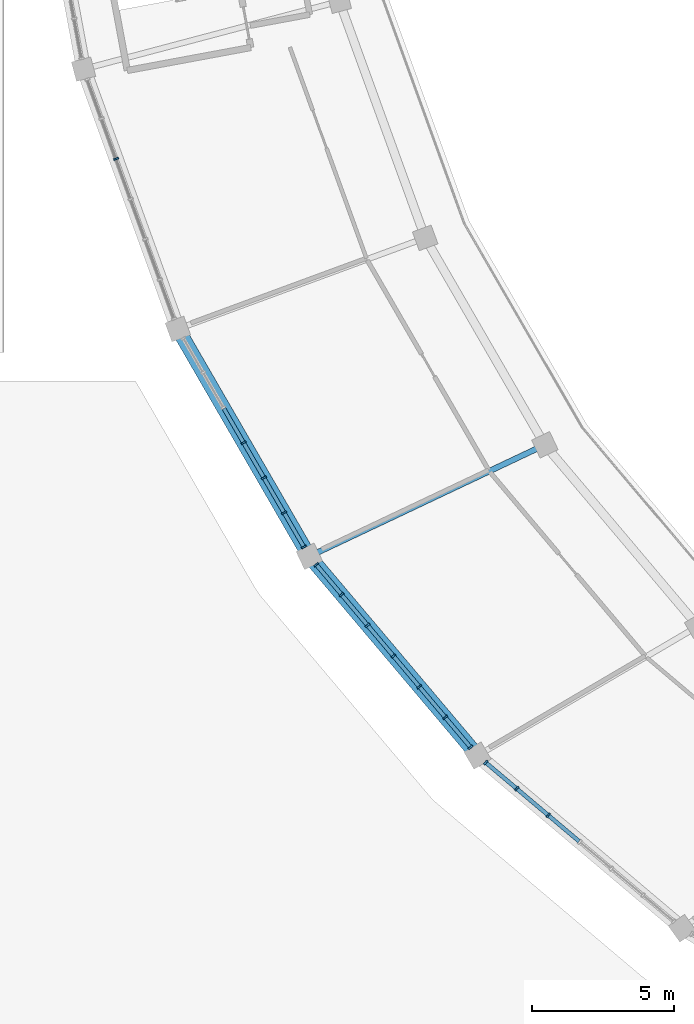
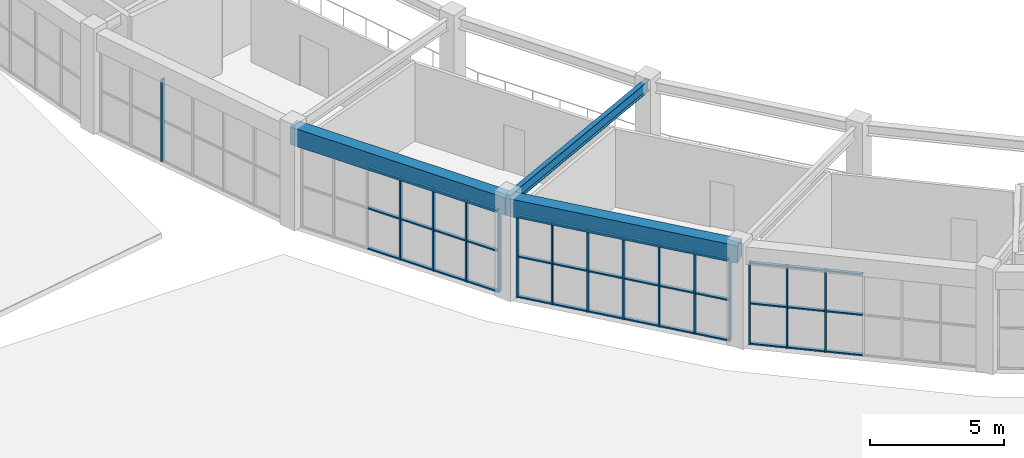
# One storey, part 16 of 45: 54 members, 3 beams, 4 elements without a shape of their own.
"""IFC4 building model written with IfcOpenShell, lengths in metres."""

from ifc_helpers import new_model, si_unit, direction, frame, origin, origin_2d, place, context, subcontext, project, spatial, rectangle, i_section, extrude, material, layer, layer_set, material_profile, profile_set, type_object, element, aggregate, save


model = new_model("IFC4")

# Units and contexts
model_context = context("Model", 3, precision=1e-05, world=origin(), true_north=direction((0.0, 1.0)))
body_context = subcontext(model_context, "Body", "Model", "MODEL_VIEW")
ifc_project = project(units=[si_unit("LENGTHUNIT", "METRE"), si_unit("AREAUNIT", "SQUARE_METRE"), si_unit("VOLUMEUNIT", "CUBIC_METRE"), si_unit("PLANEANGLEUNIT", "RADIAN"), si_unit("MASSUNIT", "GRAM", prefix="KILO")], contexts=[model_context])

# Site, building, storey
site_placement = place(None, origin())
site = spatial("IfcSite", under=ifc_project, at=site_placement, CompositionType="ELEMENT")
building_placement = place(site_placement, origin())
building = spatial("IfcBuilding", under=site, at=building_placement, Name="Mphavela Belvedere Stadium", CompositionType="ELEMENT")
storey_placement = place(building_placement, frame((0.0, 0.0, 24.0)))
storey = spatial("IfcBuildingStorey", under=building, at=storey_placement, Name="L05", CompositionType="ELEMENT", Elevation=24.0)

# Beams
ifc_material_1 = material(Name="Concrete C40/50", Category="concrete")
ifc_material_profile_1 = material_profile(ifc_material_1, rectangle(XDim=0.5, YDim=0.800048828125, at=origin_2d()), Name="RC 500x800")
ifc_profile_set_1 = profile_set([ifc_material_profile_1], Name="Concrete C40/50")
beam_type_1 = type_object("IfcBeamType", Name="BM-SPANDREL-800", PredefinedType="SPANDREL", material=ifc_profile_set_1)
beam_1_placement = place(storey_placement, frame((18.143798828125, 51.317626953125, 4.14990234375), z_axis=(0.500565297122, -0.865698783248, 0.0), x_axis=(0.865698783248, 0.500565297122, 0.0)))
element("IfcBeam", 1, at=beam_1_placement, inside=storey, type_object=beam_type_1, Name="Circumferential girder L05 R4-28", PredefinedType="SPANDREL", context=body_context, shape_type="SweptSolid", body=[
    extrude(rectangle(XDim=0.5, YDim=0.800048828125, at=origin_2d()), origin(), (0.0, 0.0, 1.0), 9.217041015625),
])
beam_2_placement = place(storey_placement, frame((22.757568359375, 43.33837890625, 4.14990234375), z_axis=(0.645164552218, -0.764043650952, 0.0), x_axis=(0.764043650952, 0.645164552218, 0.0)))
element("IfcBeam", 2, at=beam_2_placement, inside=storey, type_object=beam_type_1, Name="Circumferential girder L05 R4-29", PredefinedType="SPANDREL", context=body_context, shape_type="SweptSolid", body=[
    extrude(rectangle(XDim=0.5, YDim=0.800048828125, at=origin_2d()), origin(), (0.0, 0.0, 1.0), 9.151123046875),
])
ifc_material_2 = material(Name="Steel S355", Category="steel")
ifc_material_profile_2 = material_profile(ifc_material_2, i_section(OverallWidth=0.199951171875, OverallDepth=0.5, WebThickness=0.01025390625, FlangeThickness=0.01611328125, at=origin_2d()), Name="IPE 500")
ifc_profile_set_2 = profile_set([ifc_material_profile_2], Name="Steel S355")
beam_type_2 = type_object("IfcBeamType", Name="BM-STEEL-IPE500", PredefinedType="BEAM", material=ifc_profile_set_2)
beam_3_placement = place(storey_placement, frame((31.0244140625, 47.251708984375, 4.300048828125), z_axis=(-0.903845427073, -0.427859140325, 0.0), x_axis=(0.427859140325, -0.903845427073, 0.0)))
element("IfcBeam", 3, at=beam_3_placement, inside=storey, type_object=beam_type_2, Name="Radial concourse girder L05 R3R4-29", PredefinedType="BEAM", context=body_context, shape_type="SweptSolid", body=[
    extrude(i_section(OverallWidth=0.199951171875, OverallDepth=0.5, WebThickness=0.01025390625, FlangeThickness=0.01611328125, at=origin_2d()), origin(), (0.0, 0.0, 1.0), 9.146240234375),
])

# Curtain wall, member
ifc_material_3 = material(Name="Anodised bronze unitised curtain wall framing")
ifc_layer_1 = layer(ifc_material_3, 0.18994140625)
ifc_layer_set_1 = layer_set([ifc_layer_1], Name="Anodised bronze unitised curtain wall framing")
curtain_wall_type_1 = type_object("IfcCurtainWallType", Name="CW-UNIT-03", PredefinedType="USERDEFINED", material=ifc_layer_set_1)
curtain_wall_1_placement = place(storey_placement, origin())
curtain_wall_1 = element("IfcCurtainWall", 4, at=curtain_wall_1_placement, inside=storey, type_object=curtain_wall_type_1, Name="Belvedere colonnade curtain wall L05-27", ObjectType="UNITISED CURTAIN WALL", PredefinedType="USERDEFINED")
ifc_material_4 = material(Name="Anodised bronze extruded aluminium", Category="aluminium")
ifc_material_profile_3 = material_profile(ifc_material_4, rectangle(XDim=0.179931640625, YDim=0.06494140625, at=origin_2d()), Name="CW-MUL 180x65")
ifc_profile_set_3 = profile_set([ifc_material_profile_3], Name="Anodised bronze extruded aluminium")
member_type_1 = type_object("IfcMemberType", Name="CWM-180x65", PredefinedType="MULLION", material=ifc_profile_set_3)
member_1_placement = place(storey_placement, frame((15.977783203125, 57.28857421875, 0.0), z_axis=(0.0, 0.0, 1.0), x_axis=(0.940053496111, 0.341027014251, 0.0)))
member_1 = element("IfcMember", 5, at=member_1_placement, type_object=member_type_1, Name="CW-03 mullion 3", PredefinedType="MULLION", context=body_context, shape_type="SweptSolid", body=[
    extrude(rectangle(XDim=0.179931640625, YDim=0.06494140625, at=origin_2d()), origin(), (0.0, 0.0, 1.0), 3.719970703125),
])
aggregate(curtain_wall_1, [member_1])

# Curtain wall, members
ifc_material_5 = material(Name="Anodised bronze unitised curtain wall framing")
ifc_layer_2 = layer(ifc_material_5, 0.195068359375)
ifc_layer_set_2 = layer_set([ifc_layer_2], Name="Anodised bronze unitised curtain wall framing")
curtain_wall_type_2 = type_object("IfcCurtainWallType", Name="CW-UNIT-04", PredefinedType="USERDEFINED", material=ifc_layer_set_2)
curtain_wall_2_placement = place(storey_placement, origin())
curtain_wall_2 = element("IfcCurtainWall", 6, at=curtain_wall_2_placement, inside=storey, type_object=curtain_wall_type_2, Name="Belvedere colonnade curtain wall L05-28", ObjectType="UNITISED CURTAIN WALL", PredefinedType="USERDEFINED")
member_2_placement = place(storey_placement, frame((20.45068359375, 47.328125, 0.0), z_axis=(0.0, 0.0, 1.0), x_axis=(0.865704159606, 0.500555998906, 0.0)))
member_2 = element("IfcMember", 7, at=member_2_placement, type_object=member_type_1, Name="CW-04 mullion 4", PredefinedType="MULLION", context=body_context, shape_type="SweptSolid", body=[
    extrude(rectangle(XDim=0.179931640625, YDim=0.06494140625, at=origin_2d()), origin(), (0.0, 0.0, 1.0), 3.719970703125),
])
member_3_placement = place(storey_placement, frame((21.16162109375, 46.0986328125, 0.0), z_axis=(0.0, 0.0, 1.0), x_axis=(0.865704159606, 0.500555998906, 0.0)))
member_3 = element("IfcMember", 8, at=member_3_placement, type_object=member_type_1, Name="CW-04 mullion 5", PredefinedType="MULLION", context=body_context, shape_type="SweptSolid", body=[
    extrude(rectangle(XDim=0.179931640625, YDim=0.06494140625, at=origin_2d()), origin(), (0.0, 0.0, 1.0), 3.719970703125),
])
member_4_placement = place(storey_placement, frame((21.872314453125, 44.869140625, 0.0), z_axis=(0.0, 0.0, 1.0), x_axis=(0.865704159606, 0.500555998906, 0.0)))
member_4 = element("IfcMember", 9, at=member_4_placement, type_object=member_type_1, Name="CW-04 mullion 6", PredefinedType="MULLION", context=body_context, shape_type="SweptSolid", body=[
    extrude(rectangle(XDim=0.179931640625, YDim=0.06494140625, at=origin_2d()), origin(), (0.0, 0.0, 1.0), 3.719970703125),
])
member_5_placement = place(storey_placement, frame((22.567138671875, 43.66796875, 0.0), z_axis=(0.0, 0.0, 1.0), x_axis=(0.865704159606, 0.500555998906, 0.0)))
member_5 = element("IfcMember", 10, at=member_5_placement, type_object=member_type_1, Name="CW-04 mullion 7", PredefinedType="MULLION", context=body_context, shape_type="SweptSolid", body=[
    extrude(rectangle(XDim=0.179931640625, YDim=0.06494140625, at=origin_2d()), origin(), (0.0, 0.0, 1.0), 3.719970703125),
])

ifc_material_6 = material(Name="Anodised bronze unitised curtain wall framing")
ifc_layer_3 = layer(ifc_material_6, 0.199951171875)
ifc_layer_set_3 = layer_set([ifc_layer_3], Name="Anodised bronze unitised curtain wall framing")
curtain_wall_type_3 = type_object("IfcCurtainWallType", Name="CW-UNIT-05", PredefinedType="USERDEFINED", material=ifc_layer_set_3)
curtain_wall_3_placement = place(storey_placement, origin())
curtain_wall_3 = element("IfcCurtainWall", 11, at=curtain_wall_3_placement, inside=storey, type_object=curtain_wall_type_3, Name="Belvedere colonnade curtain wall L05-29", ObjectType="UNITISED CURTAIN WALL", PredefinedType="USERDEFINED")
member_6_placement = place(storey_placement, frame((23.0029296875, 43.0478515625, 0.0), z_axis=(0.0, 0.0, 1.0), x_axis=(0.764034579723, 0.645175294774, 0.0)))
member_6 = element("IfcMember", 12, at=member_6_placement, type_object=member_type_1, Name="CW-05 mullion 1", PredefinedType="MULLION", context=body_context, shape_type="SweptSolid", body=[
    extrude(rectangle(XDim=0.179931640625, YDim=0.06494140625, at=origin_2d()), origin(), (0.0, 0.0, 1.0), 3.719970703125),
])
member_7_placement = place(storey_placement, frame((23.89111328125, 41.995849609375, 0.0), z_axis=(0.0, 0.0, 1.0), x_axis=(0.764034579723, 0.645175294774, 0.0)))
member_7 = element("IfcMember", 13, at=member_7_placement, type_object=member_type_1, Name="CW-05 mullion 2", PredefinedType="MULLION", context=body_context, shape_type="SweptSolid", body=[
    extrude(rectangle(XDim=0.179931640625, YDim=0.06494140625, at=origin_2d()), origin(), (0.0, 0.0, 1.0), 3.719970703125),
])
member_8_placement = place(storey_placement, frame((24.80029296875, 40.919189453125, 0.0), z_axis=(0.0, 0.0, 1.0), x_axis=(0.764034579723, 0.645175294774, 0.0)))
member_8 = element("IfcMember", 14, at=member_8_placement, type_object=member_type_1, Name="CW-05 mullion 3", PredefinedType="MULLION", context=body_context, shape_type="SweptSolid", body=[
    extrude(rectangle(XDim=0.179931640625, YDim=0.06494140625, at=origin_2d()), origin(), (0.0, 0.0, 1.0), 3.719970703125),
])
member_9_placement = place(storey_placement, frame((25.709716796875, 39.842529296875, 0.0), z_axis=(0.0, 0.0, 1.0), x_axis=(0.764034579723, 0.645175294774, 0.0)))
member_9 = element("IfcMember", 15, at=member_9_placement, type_object=member_type_1, Name="CW-05 mullion 4", PredefinedType="MULLION", context=body_context, shape_type="SweptSolid", body=[
    extrude(rectangle(XDim=0.179931640625, YDim=0.06494140625, at=origin_2d()), origin(), (0.0, 0.0, 1.0), 3.719970703125),
])
member_10_placement = place(storey_placement, frame((26.618896484375, 38.765869140625, 0.0), z_axis=(0.0, 0.0, 1.0), x_axis=(0.764034579723, 0.645175294774, 0.0)))
member_10 = element("IfcMember", 16, at=member_10_placement, type_object=member_type_1, Name="CW-05 mullion 5", PredefinedType="MULLION", context=body_context, shape_type="SweptSolid", body=[
    extrude(rectangle(XDim=0.179931640625, YDim=0.06494140625, at=origin_2d()), origin(), (0.0, 0.0, 1.0), 3.719970703125),
])
member_11_placement = place(storey_placement, frame((27.528076171875, 37.689208984375, 0.0), z_axis=(0.0, 0.0, 1.0), x_axis=(0.764034579723, 0.645175294774, 0.0)))
member_11 = element("IfcMember", 17, at=member_11_placement, type_object=member_type_1, Name="CW-05 mullion 6", PredefinedType="MULLION", context=body_context, shape_type="SweptSolid", body=[
    extrude(rectangle(XDim=0.179931640625, YDim=0.06494140625, at=origin_2d()), origin(), (0.0, 0.0, 1.0), 3.719970703125),
])
member_12_placement = place(storey_placement, frame((28.416259765625, 36.63720703125, 0.0), z_axis=(0.0, 0.0, 1.0), x_axis=(0.764034579723, 0.645175294774, 0.0)))
member_12 = element("IfcMember", 18, at=member_12_placement, type_object=member_type_1, Name="CW-05 mullion 7", PredefinedType="MULLION", context=body_context, shape_type="SweptSolid", body=[
    extrude(rectangle(XDim=0.179931640625, YDim=0.06494140625, at=origin_2d()), origin(), (0.0, 0.0, 1.0), 3.719970703125),
])

ifc_material_7 = material(Name="Anodised bronze unitised curtain wall framing")
ifc_layer_4 = layer(ifc_material_7, 0.205078125)
ifc_layer_set_4 = layer_set([ifc_layer_4], Name="Anodised bronze unitised curtain wall framing")
curtain_wall_type_4 = type_object("IfcCurtainWallType", Name="CW-UNIT-06", PredefinedType="USERDEFINED", material=ifc_layer_set_4)
curtain_wall_4_placement = place(storey_placement, origin())
curtain_wall_4 = element("IfcCurtainWall", 19, at=curtain_wall_4_placement, inside=storey, type_object=curtain_wall_type_4, Name="Belvedere colonnade curtain wall L05-30", ObjectType="UNITISED CURTAIN WALL", PredefinedType="USERDEFINED")
member_13_placement = place(storey_placement, frame((28.95263671875, 36.10107421875, 0.0), z_axis=(0.0, 0.0, 1.0), x_axis=(0.644916038089, 0.764253429051, 0.0)))
member_13 = element("IfcMember", 20, at=member_13_placement, type_object=member_type_1, Name="CW-06 mullion 1", PredefinedType="MULLION", context=body_context, shape_type="SweptSolid", body=[
    extrude(rectangle(XDim=0.179931640625, YDim=0.06494140625, at=origin_2d()), origin(), (0.0, 0.0, 1.0), 3.719970703125),
])
member_14_placement = place(storey_placement, frame((30.0361328125, 35.186767578125, 0.0), z_axis=(0.0, 0.0, 1.0), x_axis=(0.644916038089, 0.764253429051, 0.0)))
member_14 = element("IfcMember", 21, at=member_14_placement, type_object=member_type_1, Name="CW-06 mullion 2", PredefinedType="MULLION", context=body_context, shape_type="SweptSolid", body=[
    extrude(rectangle(XDim=0.179931640625, YDim=0.06494140625, at=origin_2d()), origin(), (0.0, 0.0, 1.0), 3.719970703125),
])
member_15_placement = place(storey_placement, frame((31.14453125, 34.25146484375, 0.0), z_axis=(0.0, 0.0, 1.0), x_axis=(0.644916038089, 0.764253429051, 0.0)))
member_15 = element("IfcMember", 22, at=member_15_placement, type_object=member_type_1, Name="CW-06 mullion 3", PredefinedType="MULLION", context=body_context, shape_type="SweptSolid", body=[
    extrude(rectangle(XDim=0.179931640625, YDim=0.06494140625, at=origin_2d()), origin(), (0.0, 0.0, 1.0), 3.719970703125),
])

# Member
ifc_material_8 = material(Name="Anodised bronze extruded aluminium", Category="aluminium")
ifc_material_profile_4 = material_profile(ifc_material_8, rectangle(XDim=0.139892578125, YDim=0.06005859375, at=origin_2d()), Name="CW-TRN 140x60")
ifc_profile_set_4 = profile_set([ifc_material_profile_4], Name="Anodised bronze extruded aluminium")
member_type_2 = type_object("IfcMemberType", Name="CWT-140x60", PredefinedType="USERDEFINED", material=ifc_profile_set_4)
member_16_placement = place(storey_placement, frame((19.756103515625, 48.529296875, 0.030029296875), z_axis=(0.50051771898, -0.865726292189, 0.0), x_axis=(0.865726292189, 0.50051771898, 0.0)))
member_16 = element("IfcMember", 23, at=member_16_placement, type_object=member_type_2, Name="CW-04 transom 3.1", ObjectType="TRANSOM", PredefinedType="USERDEFINED", context=body_context, shape_type="SweptSolid", body=[
    extrude(rectangle(XDim=0.139892578125, YDim=0.06005859375, at=origin_2d()), origin(), (0.0, 0.0, 1.0), 1.35498046875),
])

member_17_placement = place(storey_placement, frame((19.756103515625, 48.529296875, 1.860107421875), z_axis=(0.50051771898, -0.865726292189, 0.0), x_axis=(0.865726292189, 0.50051771898, 0.0)))
member_17 = element("IfcMember", 24, at=member_17_placement, type_object=member_type_2, Name="CW-04 transom 3.2", ObjectType="TRANSOM", PredefinedType="USERDEFINED", context=body_context, shape_type="SweptSolid", body=[
    extrude(rectangle(XDim=0.139892578125, YDim=0.06005859375, at=origin_2d()), origin(), (0.0, 0.0, 1.0), 1.35498046875),
])

member_18_placement = place(storey_placement, frame((19.756103515625, 48.529296875, 3.68994140625), z_axis=(0.50051771898, -0.865726292189, 0.0), x_axis=(0.865726292189, 0.50051771898, 0.0)))
member_18 = element("IfcMember", 25, at=member_18_placement, type_object=member_type_2, Name="CW-04 transom 3.3", ObjectType="TRANSOM", PredefinedType="USERDEFINED", context=body_context, shape_type="SweptSolid", body=[
    extrude(rectangle(XDim=0.139892578125, YDim=0.06005859375, at=origin_2d()), origin(), (0.0, 0.0, 1.0), 1.35498046875),
])

member_19_placement = place(storey_placement, frame((20.467041015625, 47.300048828125, 0.030029296875), z_axis=(0.500439658564, -0.865771417948, 0.0), x_axis=(0.865771417948, 0.500439658564, 0.0)))
member_19 = element("IfcMember", 26, at=member_19_placement, type_object=member_type_2, Name="CW-04 transom 4.1", ObjectType="TRANSOM", PredefinedType="USERDEFINED", context=body_context, shape_type="SweptSolid", body=[
    extrude(rectangle(XDim=0.139892578125, YDim=0.06005859375, at=origin_2d()), origin(), (0.0, 0.0, 1.0), 1.355224609375),
])

member_20_placement = place(storey_placement, frame((20.467041015625, 47.300048828125, 1.860107421875), z_axis=(0.500439658564, -0.865771417948, 0.0), x_axis=(0.865771417948, 0.500439658564, 0.0)))
member_20 = element("IfcMember", 27, at=member_20_placement, type_object=member_type_2, Name="CW-04 transom 4.2", ObjectType="TRANSOM", PredefinedType="USERDEFINED", context=body_context, shape_type="SweptSolid", body=[
    extrude(rectangle(XDim=0.139892578125, YDim=0.06005859375, at=origin_2d()), origin(), (0.0, 0.0, 1.0), 1.355224609375),
])

member_21_placement = place(storey_placement, frame((20.467041015625, 47.300048828125, 3.68994140625), z_axis=(0.500439658564, -0.865771417948, 0.0), x_axis=(0.865771417948, 0.500439658564, 0.0)))
member_21 = element("IfcMember", 28, at=member_21_placement, type_object=member_type_2, Name="CW-04 transom 4.3", ObjectType="TRANSOM", PredefinedType="USERDEFINED", context=body_context, shape_type="SweptSolid", body=[
    extrude(rectangle(XDim=0.139892578125, YDim=0.06005859375, at=origin_2d()), origin(), (0.0, 0.0, 1.0), 1.355224609375),
])

member_22_placement = place(storey_placement, frame((21.177734375, 46.070556640625, 0.030029296875), z_axis=(0.500652736362, -0.865648218143, 0.0), x_axis=(0.865648218143, 0.500652736362, 0.0)))
member_22 = element("IfcMember", 29, at=member_22_placement, type_object=member_type_2, Name="CW-04 transom 5.1", ObjectType="TRANSOM", PredefinedType="USERDEFINED", context=body_context, shape_type="SweptSolid", body=[
    extrude(rectangle(XDim=0.139892578125, YDim=0.06005859375, at=origin_2d()), origin(), (0.0, 0.0, 1.0), 1.355224609375),
])

member_23_placement = place(storey_placement, frame((21.177734375, 46.070556640625, 1.860107421875), z_axis=(0.500652736362, -0.865648218143, 0.0), x_axis=(0.865648218143, 0.500652736362, 0.0)))
member_23 = element("IfcMember", 30, at=member_23_placement, type_object=member_type_2, Name="CW-04 transom 5.2", ObjectType="TRANSOM", PredefinedType="USERDEFINED", context=body_context, shape_type="SweptSolid", body=[
    extrude(rectangle(XDim=0.139892578125, YDim=0.06005859375, at=origin_2d()), origin(), (0.0, 0.0, 1.0), 1.355224609375),
])

member_24_placement = place(storey_placement, frame((21.177734375, 46.070556640625, 3.68994140625), z_axis=(0.500652736362, -0.865648218143, 0.0), x_axis=(0.865648218143, 0.500652736362, 0.0)))
member_24 = element("IfcMember", 31, at=member_24_placement, type_object=member_type_2, Name="CW-04 transom 5.3", ObjectType="TRANSOM", PredefinedType="USERDEFINED", context=body_context, shape_type="SweptSolid", body=[
    extrude(rectangle(XDim=0.139892578125, YDim=0.06005859375, at=origin_2d()), origin(), (0.0, 0.0, 1.0), 1.355224609375),
])

member_25_placement = place(storey_placement, frame((21.888671875, 44.841064453125, 0.030029296875), z_axis=(0.500585088296, -0.865687339272, 0.0), x_axis=(0.865687339272, 0.500585088296, 0.0)))
member_25 = element("IfcMember", 32, at=member_25_placement, type_object=member_type_2, Name="CW-04 transom 6.1", ObjectType="TRANSOM", PredefinedType="USERDEFINED", context=body_context, shape_type="SweptSolid", body=[
    extrude(rectangle(XDim=0.139892578125, YDim=0.06005859375, at=origin_2d()), origin(), (0.0, 0.0, 1.0), 1.32275390625),
])

member_26_placement = place(storey_placement, frame((21.888671875, 44.841064453125, 1.860107421875), z_axis=(0.500585088296, -0.865687339272, 0.0), x_axis=(0.865687339272, 0.500585088296, 0.0)))
member_26 = element("IfcMember", 33, at=member_26_placement, type_object=member_type_2, Name="CW-04 transom 6.2", ObjectType="TRANSOM", PredefinedType="USERDEFINED", context=body_context, shape_type="SweptSolid", body=[
    extrude(rectangle(XDim=0.139892578125, YDim=0.06005859375, at=origin_2d()), origin(), (0.0, 0.0, 1.0), 1.32275390625),
])

member_27_placement = place(storey_placement, frame((21.888671875, 44.841064453125, 3.68994140625), z_axis=(0.500585088296, -0.865687339272, 0.0), x_axis=(0.865687339272, 0.500585088296, 0.0)))
member_27 = element("IfcMember", 34, at=member_27_placement, type_object=member_type_2, Name="CW-04 transom 6.3", ObjectType="TRANSOM", PredefinedType="USERDEFINED", context=body_context, shape_type="SweptSolid", body=[
    extrude(rectangle(XDim=0.139892578125, YDim=0.06005859375, at=origin_2d()), origin(), (0.0, 0.0, 1.0), 1.32275390625),
])

aggregate(curtain_wall_2, [member_2, member_3, member_4, member_5, member_16, member_17, member_18, member_19, member_20, member_21, member_22, member_23, member_24, member_25, member_26, member_27])

member_28_placement = place(storey_placement, frame((23.02392578125, 43.02294921875, 0.030029296875), z_axis=(0.645132526384, -0.764070692673, 0.0), x_axis=(0.764070692673, 0.645132526384, 0.0)))
member_28 = element("IfcMember", 35, at=member_28_placement, type_object=member_type_2, Name="CW-05 transom 1.1", ObjectType="TRANSOM", PredefinedType="USERDEFINED", context=body_context, shape_type="SweptSolid", body=[
    extrude(rectangle(XDim=0.139892578125, YDim=0.06005859375, at=origin_2d()), origin(), (0.0, 0.0, 1.0), 1.311767578125),
])

member_29_placement = place(storey_placement, frame((23.02392578125, 43.02294921875, 1.860107421875), z_axis=(0.645132526384, -0.764070692673, 0.0), x_axis=(0.764070692673, 0.645132526384, 0.0)))
member_29 = element("IfcMember", 36, at=member_29_placement, type_object=member_type_2, Name="CW-05 transom 1.2", ObjectType="TRANSOM", PredefinedType="USERDEFINED", context=body_context, shape_type="SweptSolid", body=[
    extrude(rectangle(XDim=0.139892578125, YDim=0.06005859375, at=origin_2d()), origin(), (0.0, 0.0, 1.0), 1.311767578125),
])

member_30_placement = place(storey_placement, frame((23.02392578125, 43.02294921875, 3.68994140625), z_axis=(0.645132526384, -0.764070692673, 0.0), x_axis=(0.764070692673, 0.645132526384, 0.0)))
member_30 = element("IfcMember", 37, at=member_30_placement, type_object=member_type_2, Name="CW-05 transom 1.3", ObjectType="TRANSOM", PredefinedType="USERDEFINED", context=body_context, shape_type="SweptSolid", body=[
    extrude(rectangle(XDim=0.139892578125, YDim=0.06005859375, at=origin_2d()), origin(), (0.0, 0.0, 1.0), 1.311767578125),
])

member_31_placement = place(storey_placement, frame((23.912109375, 41.970947265625, 0.030029296875), z_axis=(0.645315102813, -0.763916499417, 0.0), x_axis=(0.763916499417, 0.645315102813, 0.0)))
member_31 = element("IfcMember", 38, at=member_31_placement, type_object=member_type_2, Name="CW-05 transom 2.1", ObjectType="TRANSOM", PredefinedType="USERDEFINED", context=body_context, shape_type="SweptSolid", body=[
    extrude(rectangle(XDim=0.139892578125, YDim=0.06005859375, at=origin_2d()), origin(), (0.0, 0.0, 1.0), 1.34423828125),
])

member_32_placement = place(storey_placement, frame((23.912109375, 41.970947265625, 1.860107421875), z_axis=(0.645315102813, -0.763916499417, 0.0), x_axis=(0.763916499417, 0.645315102813, 0.0)))
member_32 = element("IfcMember", 39, at=member_32_placement, type_object=member_type_2, Name="CW-05 transom 2.2", ObjectType="TRANSOM", PredefinedType="USERDEFINED", context=body_context, shape_type="SweptSolid", body=[
    extrude(rectangle(XDim=0.139892578125, YDim=0.06005859375, at=origin_2d()), origin(), (0.0, 0.0, 1.0), 1.34423828125),
])

member_33_placement = place(storey_placement, frame((23.912109375, 41.970947265625, 3.68994140625), z_axis=(0.645315102813, -0.763916499417, 0.0), x_axis=(0.763916499417, 0.645315102813, 0.0)))
member_33 = element("IfcMember", 40, at=member_33_placement, type_object=member_type_2, Name="CW-05 transom 2.3", ObjectType="TRANSOM", PredefinedType="USERDEFINED", context=body_context, shape_type="SweptSolid", body=[
    extrude(rectangle(XDim=0.139892578125, YDim=0.06005859375, at=origin_2d()), origin(), (0.0, 0.0, 1.0), 1.34423828125),
])

member_34_placement = place(storey_placement, frame((24.8212890625, 40.894287109375, 0.030029296875), z_axis=(0.645315102813, -0.763916499417, 0.0), x_axis=(0.763916499417, 0.645315102813, 0.0)))
member_34 = element("IfcMember", 41, at=member_34_placement, type_object=member_type_2, Name="CW-05 transom 3.1", ObjectType="TRANSOM", PredefinedType="USERDEFINED", context=body_context, shape_type="SweptSolid", body=[
    extrude(rectangle(XDim=0.139892578125, YDim=0.06005859375, at=origin_2d()), origin(), (0.0, 0.0, 1.0), 1.34423828125),
])

member_35_placement = place(storey_placement, frame((24.8212890625, 40.894287109375, 1.860107421875), z_axis=(0.645315102813, -0.763916499417, 0.0), x_axis=(0.763916499417, 0.645315102813, 0.0)))
member_35 = element("IfcMember", 42, at=member_35_placement, type_object=member_type_2, Name="CW-05 transom 3.2", ObjectType="TRANSOM", PredefinedType="USERDEFINED", context=body_context, shape_type="SweptSolid", body=[
    extrude(rectangle(XDim=0.139892578125, YDim=0.06005859375, at=origin_2d()), origin(), (0.0, 0.0, 1.0), 1.34423828125),
])

member_36_placement = place(storey_placement, frame((24.8212890625, 40.894287109375, 3.68994140625), z_axis=(0.645315102813, -0.763916499417, 0.0), x_axis=(0.763916499417, 0.645315102813, 0.0)))
member_36 = element("IfcMember", 43, at=member_36_placement, type_object=member_type_2, Name="CW-05 transom 3.3", ObjectType="TRANSOM", PredefinedType="USERDEFINED", context=body_context, shape_type="SweptSolid", body=[
    extrude(rectangle(XDim=0.139892578125, YDim=0.06005859375, at=origin_2d()), origin(), (0.0, 0.0, 1.0), 1.34423828125),
])

member_37_placement = place(storey_placement, frame((25.73046875, 39.817626953125, 0.030029296875), z_axis=(0.645225575493, -0.763992118238, 0.0), x_axis=(0.763992118238, 0.645225575493, 0.0)))
member_37 = element("IfcMember", 44, at=member_37_placement, type_object=member_type_2, Name="CW-05 transom 4.1", ObjectType="TRANSOM", PredefinedType="USERDEFINED", context=body_context, shape_type="SweptSolid", body=[
    extrude(rectangle(XDim=0.139892578125, YDim=0.06005859375, at=origin_2d()), origin(), (0.0, 0.0, 1.0), 1.344482421875),
])

member_38_placement = place(storey_placement, frame((25.73046875, 39.817626953125, 1.860107421875), z_axis=(0.645225575493, -0.763992118238, 0.0), x_axis=(0.763992118238, 0.645225575493, 0.0)))
member_38 = element("IfcMember", 45, at=member_38_placement, type_object=member_type_2, Name="CW-05 transom 4.2", ObjectType="TRANSOM", PredefinedType="USERDEFINED", context=body_context, shape_type="SweptSolid", body=[
    extrude(rectangle(XDim=0.139892578125, YDim=0.06005859375, at=origin_2d()), origin(), (0.0, 0.0, 1.0), 1.344482421875),
])

member_39_placement = place(storey_placement, frame((25.73046875, 39.817626953125, 3.68994140625), z_axis=(0.645225575493, -0.763992118238, 0.0), x_axis=(0.763992118238, 0.645225575493, 0.0)))
member_39 = element("IfcMember", 46, at=member_39_placement, type_object=member_type_2, Name="CW-05 transom 4.3", ObjectType="TRANSOM", PredefinedType="USERDEFINED", context=body_context, shape_type="SweptSolid", body=[
    extrude(rectangle(XDim=0.139892578125, YDim=0.06005859375, at=origin_2d()), origin(), (0.0, 0.0, 1.0), 1.344482421875),
])

member_40_placement = place(storey_placement, frame((26.6396484375, 38.740966796875, 0.030029296875), z_axis=(0.645225575493, -0.763992118238, 0.0), x_axis=(0.763992118238, 0.645225575493, 0.0)))
member_40 = element("IfcMember", 47, at=member_40_placement, type_object=member_type_2, Name="CW-05 transom 5.1", ObjectType="TRANSOM", PredefinedType="USERDEFINED", context=body_context, shape_type="SweptSolid", body=[
    extrude(rectangle(XDim=0.139892578125, YDim=0.06005859375, at=origin_2d()), origin(), (0.0, 0.0, 1.0), 1.344482421875),
])

member_41_placement = place(storey_placement, frame((26.6396484375, 38.740966796875, 1.860107421875), z_axis=(0.645225575493, -0.763992118238, 0.0), x_axis=(0.763992118238, 0.645225575493, 0.0)))
member_41 = element("IfcMember", 48, at=member_41_placement, type_object=member_type_2, Name="CW-05 transom 5.2", ObjectType="TRANSOM", PredefinedType="USERDEFINED", context=body_context, shape_type="SweptSolid", body=[
    extrude(rectangle(XDim=0.139892578125, YDim=0.06005859375, at=origin_2d()), origin(), (0.0, 0.0, 1.0), 1.344482421875),
])

member_42_placement = place(storey_placement, frame((26.6396484375, 38.740966796875, 3.68994140625), z_axis=(0.645225575493, -0.763992118238, 0.0), x_axis=(0.763992118238, 0.645225575493, 0.0)))
member_42 = element("IfcMember", 49, at=member_42_placement, type_object=member_type_2, Name="CW-05 transom 5.3", ObjectType="TRANSOM", PredefinedType="USERDEFINED", context=body_context, shape_type="SweptSolid", body=[
    extrude(rectangle(XDim=0.139892578125, YDim=0.06005859375, at=origin_2d()), origin(), (0.0, 0.0, 1.0), 1.344482421875),
])

member_43_placement = place(storey_placement, frame((27.549072265625, 37.664306640625, 0.030029296875), z_axis=(0.645132526384, -0.764070692673, 0.0), x_axis=(0.764070692673, 0.645132526384, 0.0)))
member_43 = element("IfcMember", 50, at=member_43_placement, type_object=member_type_2, Name="CW-05 transom 6.1", ObjectType="TRANSOM", PredefinedType="USERDEFINED", context=body_context, shape_type="SweptSolid", body=[
    extrude(rectangle(XDim=0.139892578125, YDim=0.06005859375, at=origin_2d()), origin(), (0.0, 0.0, 1.0), 1.311767578125),
])

member_44_placement = place(storey_placement, frame((27.549072265625, 37.664306640625, 1.860107421875), z_axis=(0.645132526384, -0.764070692673, 0.0), x_axis=(0.764070692673, 0.645132526384, 0.0)))
member_44 = element("IfcMember", 51, at=member_44_placement, type_object=member_type_2, Name="CW-05 transom 6.2", ObjectType="TRANSOM", PredefinedType="USERDEFINED", context=body_context, shape_type="SweptSolid", body=[
    extrude(rectangle(XDim=0.139892578125, YDim=0.06005859375, at=origin_2d()), origin(), (0.0, 0.0, 1.0), 1.311767578125),
])

member_45_placement = place(storey_placement, frame((27.549072265625, 37.664306640625, 3.68994140625), z_axis=(0.645132526384, -0.764070692673, 0.0), x_axis=(0.764070692673, 0.645132526384, 0.0)))
member_45 = element("IfcMember", 52, at=member_45_placement, type_object=member_type_2, Name="CW-05 transom 6.3", ObjectType="TRANSOM", PredefinedType="USERDEFINED", context=body_context, shape_type="SweptSolid", body=[
    extrude(rectangle(XDim=0.139892578125, YDim=0.06005859375, at=origin_2d()), origin(), (0.0, 0.0, 1.0), 1.311767578125),
])

aggregate(curtain_wall_3, [member_6, member_7, member_8, member_9, member_10, member_11, member_12, member_28, member_29, member_30, member_31, member_32, member_33, member_34, member_35, member_36, member_37, member_38, member_39, member_40, member_41, member_42, member_43, member_44, member_45])

member_46_placement = place(storey_placement, frame((28.977294921875, 36.080078125, 0.030029296875), z_axis=(0.764316500448, -0.644841288336, 0.0), x_axis=(0.644841288336, 0.764316500448, 0.0)))
member_46 = element("IfcMember", 53, at=member_46_placement, type_object=member_type_2, Name="CW-06 transom 1.1", ObjectType="TRANSOM", PredefinedType="USERDEFINED", context=body_context, shape_type="SweptSolid", body=[
    extrude(rectangle(XDim=0.139892578125, YDim=0.06005859375, at=origin_2d()), origin(), (0.0, 0.0, 1.0), 1.352783203125),
])

member_47_placement = place(storey_placement, frame((28.977294921875, 36.080078125, 1.860107421875), z_axis=(0.764316500448, -0.644841288336, 0.0), x_axis=(0.644841288336, 0.764316500448, 0.0)))
member_47 = element("IfcMember", 54, at=member_47_placement, type_object=member_type_2, Name="CW-06 transom 1.2", ObjectType="TRANSOM", PredefinedType="USERDEFINED", context=body_context, shape_type="SweptSolid", body=[
    extrude(rectangle(XDim=0.139892578125, YDim=0.06005859375, at=origin_2d()), origin(), (0.0, 0.0, 1.0), 1.352783203125),
])

member_48_placement = place(storey_placement, frame((28.977294921875, 36.080078125, 3.68994140625), z_axis=(0.764316500448, -0.644841288336, 0.0), x_axis=(0.644841288336, 0.764316500448, 0.0)))
member_48 = element("IfcMember", 55, at=member_48_placement, type_object=member_type_2, Name="CW-06 transom 1.3", ObjectType="TRANSOM", PredefinedType="USERDEFINED", context=body_context, shape_type="SweptSolid", body=[
    extrude(rectangle(XDim=0.139892578125, YDim=0.06005859375, at=origin_2d()), origin(), (0.0, 0.0, 1.0), 1.352783203125),
])

member_49_placement = place(storey_placement, frame((30.06103515625, 35.165771484375, 0.030029296875), z_axis=(0.764234485314, -0.644938486569, 0.0), x_axis=(0.644938486569, 0.764234485314, 0.0)))
member_49 = element("IfcMember", 56, at=member_49_placement, type_object=member_type_2, Name="CW-06 transom 2.1", ObjectType="TRANSOM", PredefinedType="USERDEFINED", context=body_context, shape_type="SweptSolid", body=[
    extrude(rectangle(XDim=0.139892578125, YDim=0.06005859375, at=origin_2d()), origin(), (0.0, 0.0, 1.0), 1.385498046875),
])

member_50_placement = place(storey_placement, frame((30.06103515625, 35.165771484375, 1.860107421875), z_axis=(0.764234485314, -0.644938486569, 0.0), x_axis=(0.644938486569, 0.764234485314, 0.0)))
member_50 = element("IfcMember", 57, at=member_50_placement, type_object=member_type_2, Name="CW-06 transom 2.2", ObjectType="TRANSOM", PredefinedType="USERDEFINED", context=body_context, shape_type="SweptSolid", body=[
    extrude(rectangle(XDim=0.139892578125, YDim=0.06005859375, at=origin_2d()), origin(), (0.0, 0.0, 1.0), 1.385498046875),
])

member_51_placement = place(storey_placement, frame((30.06103515625, 35.165771484375, 3.68994140625), z_axis=(0.764234485314, -0.644938486569, 0.0), x_axis=(0.644938486569, 0.764234485314, 0.0)))
member_51 = element("IfcMember", 58, at=member_51_placement, type_object=member_type_2, Name="CW-06 transom 2.3", ObjectType="TRANSOM", PredefinedType="USERDEFINED", context=body_context, shape_type="SweptSolid", body=[
    extrude(rectangle(XDim=0.139892578125, YDim=0.06005859375, at=origin_2d()), origin(), (0.0, 0.0, 1.0), 1.385498046875),
])

member_52_placement = place(storey_placement, frame((31.16943359375, 34.23046875, 0.030029296875), z_axis=(0.764234485314, -0.644938486569, 0.0), x_axis=(0.644938486569, 0.764234485314, 0.0)))
member_52 = element("IfcMember", 59, at=member_52_placement, type_object=member_type_2, Name="CW-06 transom 3.1", ObjectType="TRANSOM", PredefinedType="USERDEFINED", context=body_context, shape_type="SweptSolid", body=[
    extrude(rectangle(XDim=0.139892578125, YDim=0.06005859375, at=origin_2d()), origin(), (0.0, 0.0, 1.0), 1.385498046875),
])

member_53_placement = place(storey_placement, frame((31.16943359375, 34.23046875, 1.860107421875), z_axis=(0.764234485314, -0.644938486569, 0.0), x_axis=(0.644938486569, 0.764234485314, 0.0)))
member_53 = element("IfcMember", 60, at=member_53_placement, type_object=member_type_2, Name="CW-06 transom 3.2", ObjectType="TRANSOM", PredefinedType="USERDEFINED", context=body_context, shape_type="SweptSolid", body=[
    extrude(rectangle(XDim=0.139892578125, YDim=0.06005859375, at=origin_2d()), origin(), (0.0, 0.0, 1.0), 1.385498046875),
])

member_54_placement = place(storey_placement, frame((31.16943359375, 34.23046875, 3.68994140625), z_axis=(0.764234485314, -0.644938486569, 0.0), x_axis=(0.644938486569, 0.764234485314, 0.0)))
member_54 = element("IfcMember", 61, at=member_54_placement, type_object=member_type_2, Name="CW-06 transom 3.3", ObjectType="TRANSOM", PredefinedType="USERDEFINED", context=body_context, shape_type="SweptSolid", body=[
    extrude(rectangle(XDim=0.139892578125, YDim=0.06005859375, at=origin_2d()), origin(), (0.0, 0.0, 1.0), 1.385498046875),
])

aggregate(curtain_wall_4, [member_13, member_14, member_15, member_46, member_47, member_48, member_49, member_50, member_51, member_52, member_53, member_54])

save(model, "model.ifc")
